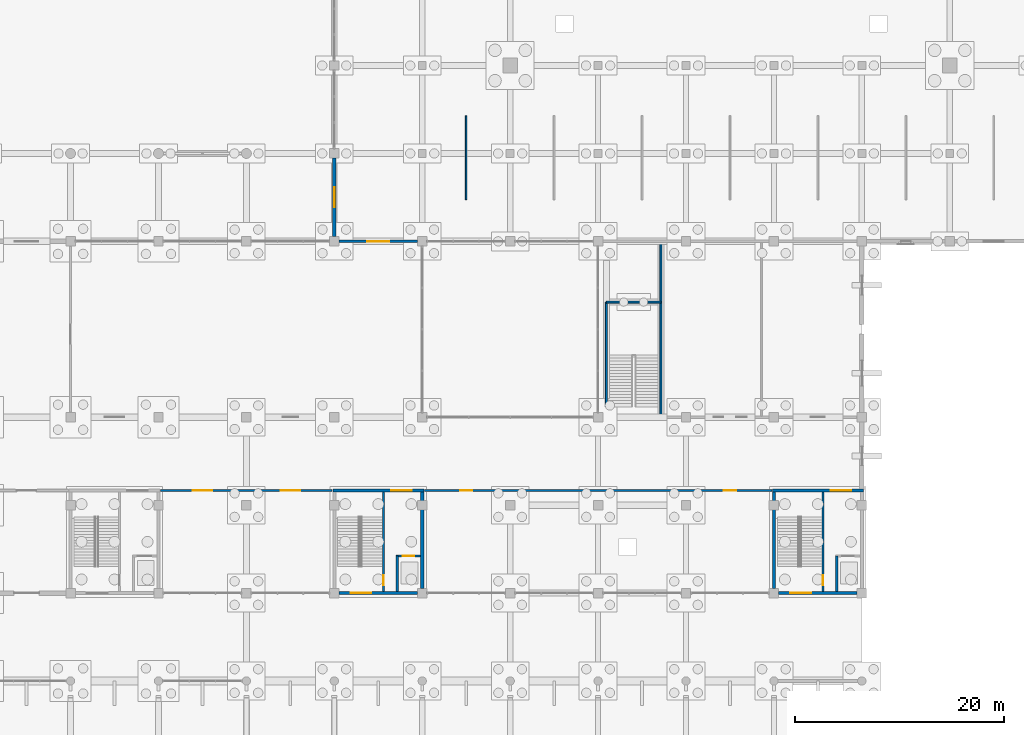
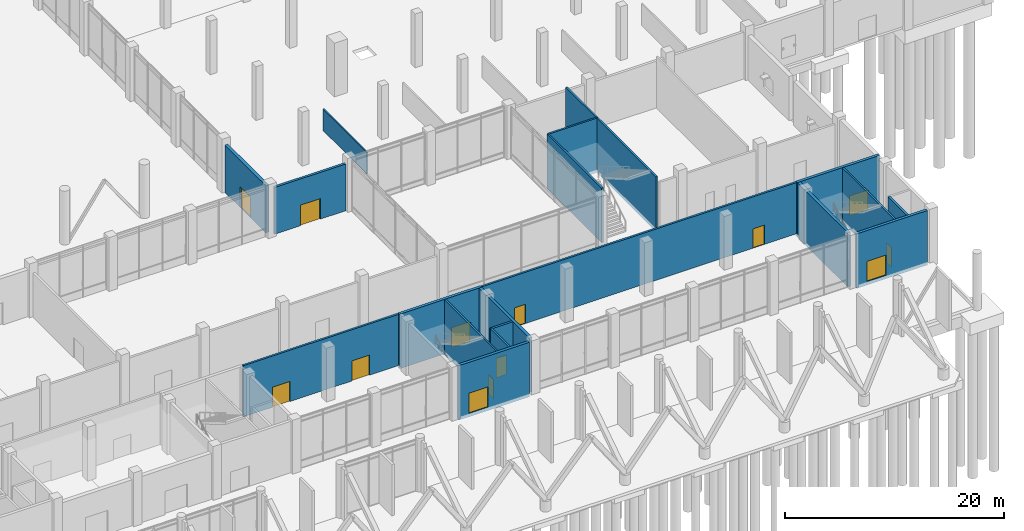
# One storey, part 57 of 72: 19 walls, 13 doors, 13 openings.
"""IFC4 building model written with IfcOpenShell, lengths in metres."""

from ifc_helpers import new_model, si_unit, direction, frame, frame_2d, origin, place, context, subcontext, project, spatial, rectangle, extrude, material, layer, layer_set, type_object, element, fill, save


model = new_model("IFC4")

# Units and contexts
model_context = context("Model", 3, precision=1e-05, world=origin(), true_north=direction((0.0, 1.0)))
body_context = subcontext(model_context, "Body", "Model", "MODEL_VIEW")
ifc_project = project(units=[si_unit("LENGTHUNIT", "METRE"), si_unit("AREAUNIT", "SQUARE_METRE"), si_unit("VOLUMEUNIT", "CUBIC_METRE"), si_unit("PLANEANGLEUNIT", "RADIAN"), si_unit("MASSUNIT", "GRAM", prefix="KILO")], contexts=[model_context])

# Site, building, storey
site_placement = place(None, origin())
site = spatial("IfcSite", under=ifc_project, at=site_placement, CompositionType="ELEMENT")
building_placement = place(site_placement, origin())
building = spatial("IfcBuilding", under=site, at=building_placement, Name="Qawsi Khor Wholesale Market", CompositionType="ELEMENT")
storey_placement = place(building_placement, origin())
storey = spatial("IfcBuildingStorey", under=building, at=storey_placement, Name="L00", CompositionType="ELEMENT", Elevation=0.0)

# Wall, opening, door
ifc_material_1 = material(Name="Concrete C40/50", Category="concrete")
ifc_layer_1 = layer(ifc_material_1, 0.300048828125, Name="Concrete C40/50")
ifc_layer_set_1 = layer_set([ifc_layer_1], Name="Concrete C40/50")
wall_type_1 = type_object("IfcWallType", Name="Core Shear Wall RC 300 C40/50", PredefinedType="SHEAR", material=ifc_layer_set_1)
wall_1_placement = place(storey_placement, frame((150.7451171875, 8.39990234375, -0.360107421875), z_axis=(0.0, 0.0, 1.0), x_axis=(-1.0, 0.0, 0.0)))
wall_1 = element("IfcWall", 1, at=wall_1_placement, inside=storey, type_object=wall_type_1, Name="Core C05 south shear wall L00", PredefinedType="SHEAR", context=body_context, shape_type="SweptSolid", body=[
    extrude(rectangle(XDim=7.490234375, YDim=0.300048828125, at=frame_2d((3.7451171875, 0.0))), origin(), (0.0, 0.0, 1.0), 6.080078125),
])
opening_1_placement = place(wall_1_placement, frame((4.39501953125, 0.0, 0.360107421875)))
opening_1 = element("IfcOpeningElement", 2, at=opening_1_placement, cuts=wall_1, Name="Opening ED-06", PredefinedType="OPENING", context=body_context, shape_type="SweptSolid", body=[
    extrude(rectangle(XDim=2.0, YDim=2.280029296875, at=frame_2d((1.0, 1.14013671875))), frame((0.0, 0.159912109375, 0.0), z_axis=(0.0, -1.0, 0.0), x_axis=(1.0, 0.0, 0.0)), (0.0, 0.0, 1.0), 0.320068359375),
])
ifc_material_2 = material(Name="Powder-Coated Galvanised Steel & Glazing", Category="steel")
door_type_1 = type_object("IfcDoorType", Name="Final Exit Stair Discharge Door 2000x2280 FD120S", OperationType="NOTDEFINED", PredefinedType="DOOR", material=ifc_material_2)
door_1_placement = place(opening_1_placement, origin())
door_1 = element("IfcDoor", 3, at=door_1_placement, inside=storey, type_object=door_type_1, Name="Final exit stair discharge door ST-05", OperationType="DOUBLE_DOOR_SINGLE_SWING", OverallHeight=2.280029296875, OverallWidth=2.0, PredefinedType="DOOR", context=body_context, shape_type="SweptSolid", body=[
    extrude(rectangle(XDim=2.0, YDim=2.280029296875, at=frame_2d((1.0, 1.14013671875))), frame((0.0, 0.02490234375, 0.0), z_axis=(0.0, -1.0, 0.0), x_axis=(1.0, 0.0, 0.0)), (0.0, 0.0, 1.0), 0.050048828125),
])
fill(opening_1, door_1)

wall_2_placement = place(storey_placement, frame((142.64990234375, 18.199951171875, -0.360107421875), z_axis=(0.0, 0.0, 1.0), x_axis=(1.0, 0.0, 0.0)))
wall_2 = element("IfcWall", 4, at=wall_2_placement, inside=storey, type_object=wall_type_1, Name="Core C05 north shear wall L00", PredefinedType="SHEAR", context=body_context, shape_type="SweptSolid", body=[
    extrude(rectangle(XDim=8.7001953125, YDim=0.300048828125, at=frame_2d((4.35009765625, 0.0))), origin(), (0.0, 0.0, 1.0), 6.080078125),
])
opening_2_placement = place(wall_2_placement, frame((5.570068359375, 0.0, 0.360107421875)))
opening_2 = element("IfcOpeningElement", 5, at=opening_2_placement, cuts=wall_2, Name="Opening ID-01", PredefinedType="OPENING", context=body_context, shape_type="SweptSolid", body=[
    extrude(rectangle(XDim=1.9599609375, YDim=2.199951171875, at=frame_2d((0.97998046875, 1.10009765625))), frame((0.0, 0.159912109375, 0.0), z_axis=(0.0, -1.0, 0.0), x_axis=(1.0, 0.0, 0.0)), (0.0, 0.0, 1.0), 0.320068359375),
])
ifc_material_3 = material(Name="Steel Fire Door", Category="steel")
door_type_2 = type_object("IfcDoorType", Name="Stair & Core Fire Door 1960x2200 FD90S", OperationType="NOTDEFINED", PredefinedType="DOOR", material=ifc_material_3)
door_2_placement = place(opening_2_placement, origin())
door_2 = element("IfcDoor", 6, at=door_2_placement, inside=storey, type_object=door_type_2, Name="Core C05 fire door L00", OperationType="DOUBLE_DOOR_SINGLE_SWING", OverallHeight=2.199951171875, OverallWidth=1.9599609375, PredefinedType="DOOR", context=body_context, shape_type="SweptSolid", body=[
    extrude(rectangle(XDim=1.9599609375, YDim=2.199951171875, at=frame_2d((0.97998046875, 1.10009765625))), frame((0.0, 0.02490234375, 0.0), z_axis=(0.0, -1.0, 0.0), x_axis=(1.0, 0.0, 0.0)), (0.0, 0.0, 1.0), 0.050048828125),
])
fill(opening_2, door_2)

# Wall
wall_3_placement = place(storey_placement, frame((151.199951171875, 18.050048828125, -0.360107421875), z_axis=(0.0, 0.0, 1.0), x_axis=(0.0, -1.0, 0.0)))
element("IfcWall", 7, at=wall_3_placement, inside=storey, type_object=wall_type_1, Name="Core C05 east shear wall L00", PredefinedType="SHEAR", context=body_context, shape_type="SweptSolid", body=[
    extrude(rectangle(XDim=9.195068359375, YDim=0.300048828125, at=frame_2d((4.59765625, 0.0))), origin(), (0.0, 0.0, 1.0), 6.080078125),
])

# Wall, opening, door
wall_4_placement = place(storey_placement, frame((192.7451171875, 8.39990234375, -0.360107421875), z_axis=(0.0, 0.0, 1.0), x_axis=(-1.0, 0.0, 0.0)))
wall_4 = element("IfcWall", 8, at=wall_4_placement, inside=storey, type_object=wall_type_1, Name="Core C06 south shear wall L00", PredefinedType="SHEAR", context=body_context, shape_type="SweptSolid", body=[
    extrude(rectangle(XDim=7.490234375, YDim=0.300048828125, at=frame_2d((3.7451171875, 0.0))), origin(), (0.0, 0.0, 1.0), 6.080078125),
])
opening_3_placement = place(wall_4_placement, frame((4.39501953125, 0.0, 0.360107421875)))
opening_3 = element("IfcOpeningElement", 9, at=opening_3_placement, cuts=wall_4, Name="Opening ED-06", PredefinedType="OPENING", context=body_context, shape_type="SweptSolid", body=[
    extrude(rectangle(XDim=2.0, YDim=2.280029296875, at=frame_2d((1.0, 1.14013671875))), frame((0.0, 0.159912109375, 0.0), z_axis=(0.0, -1.0, 0.0), x_axis=(1.0, 0.0, 0.0)), (0.0, 0.0, 1.0), 0.320068359375),
])
door_3_placement = place(opening_3_placement, origin())
door_3 = element("IfcDoor", 10, at=door_3_placement, inside=storey, type_object=door_type_1, Name="Final exit stair discharge door ST-06", OperationType="DOUBLE_DOOR_SINGLE_SWING", OverallHeight=2.280029296875, OverallWidth=2.0, PredefinedType="DOOR", context=body_context, shape_type="SweptSolid", body=[
    extrude(rectangle(XDim=2.0, YDim=2.280029296875, at=frame_2d((1.0, 1.14013671875))), frame((0.0, 0.02490234375, 0.0), z_axis=(0.0, -1.0, 0.0), x_axis=(1.0, 0.0, 0.0)), (0.0, 0.0, 1.0), 0.050048828125),
])
fill(opening_3, door_3)

# Wall
wall_5_placement = place(storey_placement, frame((184.800048828125, 8.85498046875, -0.360107421875), z_axis=(0.0, 0.0, 1.0), x_axis=(0.0, 1.0, 0.0)))
element("IfcWall", 11, at=wall_5_placement, inside=storey, type_object=wall_type_1, Name="Core C06 west shear wall L00", PredefinedType="SHEAR", context=body_context, shape_type="SweptSolid", body=[
    extrude(rectangle(XDim=9.195068359375, YDim=0.300048828125, at=frame_2d((4.59765625, 0.0))), origin(), (0.0, 0.0, 1.0), 6.080078125),
])

# Wall, opening, door
wall_6_placement = place(storey_placement, frame((184.64990234375, 18.199951171875, -0.360107421875), z_axis=(0.0, 0.0, 1.0), x_axis=(1.0, 0.0, 0.0)))
wall_6 = element("IfcWall", 12, at=wall_6_placement, inside=storey, type_object=wall_type_1, Name="Core C06 north shear wall L00", PredefinedType="SHEAR", context=body_context, shape_type="SweptSolid", body=[
    extrude(rectangle(XDim=8.7001953125, YDim=0.300048828125, at=frame_2d((4.35009765625, 0.0))), origin(), (0.0, 0.0, 1.0), 6.080078125),
])
opening_4_placement = place(wall_6_placement, frame((5.570068359375, 0.0, 0.360107421875)))
opening_4 = element("IfcOpeningElement", 13, at=opening_4_placement, cuts=wall_6, Name="Opening ID-01", PredefinedType="OPENING", context=body_context, shape_type="SweptSolid", body=[
    extrude(rectangle(XDim=1.9599609375, YDim=2.199951171875, at=frame_2d((0.97998046875, 1.10009765625))), frame((0.0, 0.159912109375, 0.0), z_axis=(0.0, -1.0, 0.0), x_axis=(1.0, 0.0, 0.0)), (0.0, 0.0, 1.0), 0.320068359375),
])
door_4_placement = place(opening_4_placement, origin())
door_4 = element("IfcDoor", 14, at=door_4_placement, inside=storey, type_object=door_type_2, Name="Core C06 fire door L00", OperationType="DOUBLE_DOOR_SINGLE_SWING", OverallHeight=2.199951171875, OverallWidth=1.9599609375, PredefinedType="DOOR", context=body_context, shape_type="SweptSolid", body=[
    extrude(rectangle(XDim=1.9599609375, YDim=2.199951171875, at=frame_2d((0.97998046875, 1.10009765625))), frame((0.0, 0.02490234375, 0.0), z_axis=(0.0, -1.0, 0.0), x_axis=(1.0, 0.0, 0.0)), (0.0, 0.0, 1.0), 0.050048828125),
])
fill(opening_4, door_4)

# Wall, openings, doors
ifc_material_4 = material(Name="Gypsum Fireboard on Steel Stud", Category="steel")
ifc_layer_2 = layer(ifc_material_4, 0.2099609375, Name="Gypsum Fireboard on Steel Stud")
ifc_layer_set_2 = layer_set([ifc_layer_2], Name="Gypsum Fireboard on Steel Stud")
wall_type_2 = type_object("IfcWallType", Name="Corridor Fire Partition Wall 210", PredefinedType="PARTITIONING", material=ifc_layer_set_2)
wall_7_placement = place(storey_placement, frame((126.199951171875, 18.199951171875, 0.0), z_axis=(0.0, 0.0, 1.0), x_axis=(1.0, 0.0, 0.0)))
wall_7 = element("IfcWall", 15, at=wall_7_placement, inside=storey, type_object=wall_type_2, Name="PW-L00-032", PredefinedType="PARTITIONING", context=body_context, shape_type="SweptSolid", body=[
    extrude(rectangle(XDim=16.400146484375, YDim=0.2099609375, at=frame_2d((8.2001953125, 0.0))), origin(), (0.0, 0.0, 1.0), 5.719970703125),
])
opening_5_placement = place(wall_7_placement, frame((3.074951171875, 0.0, 0.0)))
opening_5 = element("IfcOpeningElement", 16, at=opening_5_placement, cuts=wall_7, Name="Opening ID-09", PredefinedType="OPENING", context=body_context, shape_type="SweptSolid", body=[
    extrude(rectangle(XDim=1.85009765625, YDim=2.25, at=frame_2d((0.925048828125, 1.125))), frame((0.0, 0.114990234375, 0.0), z_axis=(0.0, -1.0, 0.0), x_axis=(1.0, 0.0, 0.0)), (0.0, 0.0, 1.0), 0.22998046875),
])
opening_6_placement = place(wall_7_placement, frame((11.47509765625, 0.0, 0.0)))
opening_6 = element("IfcOpeningElement", 17, at=opening_6_placement, cuts=wall_7, Name="Opening ID-09", PredefinedType="OPENING", context=body_context, shape_type="SweptSolid", body=[
    extrude(rectangle(XDim=1.85009765625, YDim=2.25, at=frame_2d((0.925048828125, 1.125))), frame((0.0, 0.114990234375, 0.0), z_axis=(0.0, -1.0, 0.0), x_axis=(1.0, 0.0, 0.0)), (0.0, 0.0, 1.0), 0.22998046875),
])
ifc_material_5 = material(Name="Glazed Hardwood", Category="wood")
door_type_3 = type_object("IfcDoorType", Name="Canteen Dining Double Door 1850x2250 FD60S", OperationType="NOTDEFINED", PredefinedType="DOOR", material=ifc_material_5)
door_5_placement = place(opening_5_placement, origin())
door_5 = element("IfcDoor", 18, at=door_5_placement, inside=storey, type_object=door_type_3, Name="Canteen Dining Double Door 1850x2250 FD60S L00-030", OperationType="DOUBLE_DOOR_SINGLE_SWING", OverallHeight=2.25, OverallWidth=1.85009765625, PredefinedType="DOOR", context=body_context, shape_type="SweptSolid", body=[
    extrude(rectangle(XDim=1.85009765625, YDim=2.25, at=frame_2d((0.925048828125, 1.125))), frame((0.0, 0.02490234375, 0.0), z_axis=(0.0, -1.0, 0.0), x_axis=(1.0, 0.0, 0.0)), (0.0, 0.0, 1.0), 0.050048828125),
])
fill(opening_5, door_5)
door_6_placement = place(opening_6_placement, origin())
door_6 = element("IfcDoor", 19, at=door_6_placement, inside=storey, type_object=door_type_3, Name="Canteen Dining Double Door 1850x2250 FD60S L00-031", OperationType="DOUBLE_DOOR_SINGLE_SWING", OverallHeight=2.25, OverallWidth=1.85009765625, PredefinedType="DOOR", context=body_context, shape_type="SweptSolid", body=[
    extrude(rectangle(XDim=1.85009765625, YDim=2.25, at=frame_2d((0.925048828125, 1.125))), frame((0.0, 0.02490234375, 0.0), z_axis=(0.0, -1.0, 0.0), x_axis=(1.0, 0.0, 0.0)), (0.0, 0.0, 1.0), 0.050048828125),
])
fill(opening_6, door_6)

wall_8_placement = place(storey_placement, frame((151.39990234375, 18.199951171875, 0.0), z_axis=(0.0, 0.0, 1.0), x_axis=(1.0, 0.0, 0.0)))
wall_8 = element("IfcWall", 20, at=wall_8_placement, inside=storey, type_object=wall_type_2, Name="PW-L00-033", PredefinedType="PARTITIONING", context=body_context, shape_type="SweptSolid", body=[
    extrude(rectangle(XDim=33.2001953125, YDim=0.2099609375, at=frame_2d((16.60009765625, 0.0))), origin(), (0.0, 0.0, 1.0), 5.719970703125),
])
opening_7_placement = place(wall_8_placement, frame((3.409912109375, 0.0, 0.0)))
opening_7 = element("IfcOpeningElement", 21, at=opening_7_placement, cuts=wall_8, Name="Opening ID-15", PredefinedType="OPENING", context=body_context, shape_type="SweptSolid", body=[
    extrude(rectangle(XDim=1.179931640625, YDim=2.159912109375, at=frame_2d((0.58984375, 1.080078125))), frame((0.0, 0.114990234375, 0.0), z_axis=(0.0, -1.0, 0.0), x_axis=(1.0, 0.0, 0.0)), (0.0, 0.0, 1.0), 0.22998046875),
])
opening_8_placement = place(wall_8_placement, frame((28.610107421875, 0.0, 0.0)))
opening_8 = element("IfcOpeningElement", 22, at=opening_8_placement, cuts=wall_8, Name="Opening ID-15", PredefinedType="OPENING", context=body_context, shape_type="SweptSolid", body=[
    extrude(rectangle(XDim=1.179931640625, YDim=2.159912109375, at=frame_2d((0.58984375, 1.080078125))), frame((0.0, 0.114990234375, 0.0), z_axis=(0.0, -1.0, 0.0), x_axis=(1.0, 0.0, 0.0)), (0.0, 0.0, 1.0), 0.22998046875),
])
ifc_material_6 = material(Name="Glazed Anodised Aluminium", Category="aluminium")
door_type_4 = type_object("IfcDoorType", Name="Market Shop Internal Door 1180x2160", OperationType="NOTDEFINED", PredefinedType="DOOR", material=ifc_material_6)
door_7_placement = place(opening_7_placement, origin())
door_7 = element("IfcDoor", 23, at=door_7_placement, inside=storey, type_object=door_type_4, Name="Market Shop Internal Door 1180x2160 L00-032", OperationType="SINGLE_SWING_LEFT", OverallHeight=2.159912109375, OverallWidth=1.179931640625, PredefinedType="DOOR", context=body_context, shape_type="SweptSolid", body=[
    extrude(rectangle(XDim=1.179931640625, YDim=2.159912109375, at=frame_2d((0.58984375, 1.080078125))), frame((0.0, 0.02490234375, 0.0), z_axis=(0.0, -1.0, 0.0), x_axis=(1.0, 0.0, 0.0)), (0.0, 0.0, 1.0), 0.050048828125),
])
fill(opening_7, door_7)
door_8_placement = place(opening_8_placement, origin())
door_8 = element("IfcDoor", 24, at=door_8_placement, inside=storey, type_object=door_type_4, Name="Market Shop Internal Door 1180x2160 L00-033", OperationType="SINGLE_SWING_RIGHT", OverallHeight=2.159912109375, OverallWidth=1.179931640625, PredefinedType="DOOR", context=body_context, shape_type="SweptSolid", body=[
    extrude(rectangle(XDim=1.179931640625, YDim=2.159912109375, at=frame_2d((0.58984375, 1.080078125))), frame((0.0, 0.02490234375, 0.0), z_axis=(0.0, -1.0, 0.0), x_axis=(1.0, 0.0, 0.0)), (0.0, 0.0, 1.0), 0.050048828125),
])
fill(opening_8, door_8)

# Wall, opening, door
ifc_material_7 = material(Name="Concrete Blockwork & Plaster", Category="masonry")
ifc_layer_3 = layer(ifc_material_7, 0.25, Name="Concrete Blockwork & Plaster")
ifc_layer_set_3 = layer_set([ifc_layer_3], Name="Concrete Blockwork & Plaster")
wall_type_3 = type_object("IfcWallType", Name="Fire Compartment Masonry Wall 250", PredefinedType="SOLIDWALL", material=ifc_layer_set_3)
wall_9_placement = place(storey_placement, frame((143.25, 42.0, 0.0), z_axis=(0.0, 0.0, 1.0), x_axis=(1.0, 0.0, 0.0)))
wall_9 = element("IfcWall", 25, at=wall_9_placement, inside=storey, type_object=wall_type_3, Name="Grid F fire compartment wall L00-17", PredefinedType="SOLIDWALL", context=body_context, shape_type="SweptSolid", body=[
    extrude(rectangle(XDim=7.5, YDim=0.25, at=frame_2d((3.75, 0.0))), origin(), (0.0, 0.0, 1.0), 5.219970703125),
])
opening_9_placement = place(wall_9_placement, frame((2.699951171875, 0.0, 0.0)))
opening_9 = element("IfcOpeningElement", 26, at=opening_9_placement, cuts=wall_9, Name="Opening ID-03", PredefinedType="OPENING", context=body_context, shape_type="SweptSolid", body=[
    extrude(rectangle(XDim=2.10009765625, YDim=2.300048828125, at=frame_2d((1.050048828125, 1.14990234375))), frame((0.0, 0.135009765625, 0.0), z_axis=(0.0, -1.0, 0.0), x_axis=(1.0, 0.0, 0.0)), (0.0, 0.0, 1.0), 0.27001953125),
])
ifc_material_8 = material(Name="Glazed Steel Fire Door", Category="steel")
door_type_5 = type_object("IfcDoorType", Name="Hall Concourse Double Door 2100x2300 FD60S", OperationType="NOTDEFINED", PredefinedType="DOOR", material=ifc_material_8)
door_9_placement = place(opening_9_placement, origin())
door_9 = element("IfcDoor", 27, at=door_9_placement, inside=storey, type_object=door_type_5, Name="Hall concourse compartment door L00-17", OperationType="DOUBLE_DOOR_SINGLE_SWING", OverallHeight=2.300048828125, OverallWidth=2.10009765625, PredefinedType="DOOR", context=body_context, shape_type="SweptSolid", body=[
    extrude(rectangle(XDim=2.10009765625, YDim=2.300048828125, at=frame_2d((1.050048828125, 1.14990234375))), frame((0.0, 0.02490234375, 0.0), z_axis=(0.0, -1.0, 0.0), x_axis=(1.0, 0.0, 0.0)), (0.0, 0.0, 1.0), 0.050048828125),
])
fill(opening_9, door_9)

ifc_layer_4 = layer(ifc_material_1, 0.330078125, Name="Concrete C40/50")
ifc_layer_set_4 = layer_set([ifc_layer_4], Name="Concrete C40/50")
wall_type_4 = type_object("IfcWallType", Name="Fish Hall Precast Insulated Wall 330", PredefinedType="SOLIDWALL", material=ifc_layer_set_4)
wall_10_placement = place(storey_placement, frame((142.800048828125, 42.455078125, 0.0), z_axis=(0.0, 0.0, 1.0), x_axis=(0.0, 1.0, 0.0)))
wall_10 = element("IfcWall", 28, at=wall_10_placement, inside=storey, type_object=wall_type_4, Name="EW-L00-EHW-05", PredefinedType="SOLIDWALL", context=body_context, shape_type="SweptSolid", body=[
    extrude(rectangle(XDim=7.489990234375, YDim=0.330078125, at=frame_2d((3.7451171875, 0.0))), origin(), (0.0, 0.0, 1.0), 5.280029296875),
])
opening_10_placement = place(wall_10_placement, frame((2.784912109375, 0.0, 0.0)))
opening_10 = element("IfcOpeningElement", 29, at=opening_10_placement, cuts=wall_10, Name="Opening ED-07", PredefinedType="OPENING", context=body_context, shape_type="SweptSolid", body=[
    extrude(rectangle(XDim=1.919921875, YDim=2.320068359375, at=frame_2d((0.9599609375, 1.16015625))), frame((0.0, 0.175048828125, 0.0), z_axis=(0.0, -1.0, 0.0), x_axis=(1.0, 0.0, 0.0)), (0.0, 0.0, 1.0), 0.35009765625),
])
door_type_6 = type_object("IfcDoorType", Name="Hall Ground Personnel Exit Door 1920x2320 FD60S", OperationType="NOTDEFINED", PredefinedType="DOOR", material=ifc_material_2)
door_10_placement = place(opening_10_placement, origin())
door_10 = element("IfcDoor", 30, at=door_10_placement, inside=storey, type_object=door_type_6, Name="East Hall Court Exit", OperationType="DOUBLE_DOOR_SINGLE_SWING", OverallHeight=2.320068359375, OverallWidth=1.919921875, PredefinedType="DOOR", context=body_context, shape_type="SweptSolid", body=[
    extrude(rectangle(XDim=1.919921875, YDim=2.320068359375, at=frame_2d((0.9599609375, 1.16015625))), frame((0.0, 0.02490234375, 0.0), z_axis=(0.0, -1.0, 0.0), x_axis=(1.0, 0.0, 0.0)), (0.0, 0.0, 1.0), 0.050048828125),
])
fill(opening_10, door_10)

# Wall
ifc_layer_5 = layer(ifc_material_1, 0.219970703125, Name="Concrete C40/50")
ifc_layer_set_5 = layer_set([ifc_layer_5], Name="Concrete C40/50")
wall_type_5 = type_object("IfcWallType", Name="Lift & Stair Shaft Wall RC 220", PredefinedType="SOLIDWALL", material=ifc_layer_set_5)
wall_11_placement = place(storey_placement, frame((148.81005859375, 8.56005859375, 0.0), z_axis=(0.0, 0.0, 1.0), x_axis=(0.0, 1.0, 0.0)))
element("IfcWall", 31, at=wall_11_placement, inside=storey, type_object=wall_type_5, Name="Lift PL-03 shaft wall W L00", PredefinedType="SOLIDWALL", context=body_context, shape_type="SweptSolid", body=[
    extrude(rectangle(XDim=3.389892578125, YDim=0.219970703125, at=frame_2d((1.69482421875, 0.0))), origin(), (0.0, 0.0, 1.0), 5.719970703125),
])

# Wall, opening, door
wall_12_placement = place(storey_placement, frame((148.699951171875, 11.949951171875, 0.0), z_axis=(0.0, 0.0, 1.0), x_axis=(1.0, 0.0, 0.0)))
wall_12 = element("IfcWall", 32, at=wall_12_placement, inside=storey, type_object=wall_type_5, Name="Lift PL-03 shaft wall N L00", PredefinedType="SOLIDWALL", context=body_context, shape_type="SweptSolid", body=[
    extrude(rectangle(XDim=2.340087890625, YDim=0.219970703125, at=frame_2d((1.169921875, 0.0))), origin(), (0.0, 0.0, 1.0), 5.719970703125),
])
opening_11_placement = place(wall_12_placement, frame((0.6201171875, 0.0, 0.0)))
opening_11 = element("IfcOpeningElement", 33, at=opening_11_placement, cuts=wall_12, Name="Opening LD-P110", PredefinedType="OPENING", context=body_context, shape_type="SweptSolid", body=[
    extrude(rectangle(XDim=1.10009765625, YDim=2.199951171875, at=frame_2d((0.550048828125, 1.10009765625))), frame((0.0, 0.119873046875, 0.0), z_axis=(0.0, -1.0, 0.0), x_axis=(1.0, 0.0, 0.0)), (0.0, 0.0, 1.0), 0.239990234375),
])
ifc_material_9 = material(Name="Brushed Stainless Steel", Category="steel")
door_type_7 = type_object("IfcDoorType", Name="Passenger Lift Landing Sliding Door 1100x2200 FD90S", OperationType="NOTDEFINED", PredefinedType="DOOR", material=ifc_material_9)
door_11_placement = place(opening_11_placement, origin())
door_11 = element("IfcDoor", 34, at=door_11_placement, inside=storey, type_object=door_type_7, Name="Lift PL-03 landing door L00", OperationType="SLIDING_TO_LEFT", OverallHeight=2.199951171875, OverallWidth=1.10009765625, PredefinedType="DOOR", context=body_context, shape_type="SweptSolid", body=[
    extrude(rectangle(XDim=1.10009765625, YDim=2.199951171875, at=frame_2d((0.550048828125, 1.10009765625))), frame((0.0, 0.02490234375, 0.0), z_axis=(0.0, -1.0, 0.0), x_axis=(1.0, 0.0, 0.0)), (0.0, 0.0, 1.0), 0.050048828125),
])
fill(opening_11, door_11)

# Walls
wall_13_placement = place(storey_placement, frame((190.81005859375, 8.56005859375, 0.0), z_axis=(0.0, 0.0, 1.0), x_axis=(0.0, 1.0, 0.0)))
element("IfcWall", 35, at=wall_13_placement, inside=storey, type_object=wall_type_5, Name="Lift PL-04 shaft wall W L00", PredefinedType="SOLIDWALL", context=body_context, shape_type="SweptSolid", body=[
    extrude(rectangle(XDim=3.389892578125, YDim=0.219970703125, at=frame_2d((1.69482421875, 0.0))), origin(), (0.0, 0.0, 1.0), 5.719970703125),
])
ifc_material_10 = material(Name="Precast Terrazzo Concrete C40/50", Category="concrete")
ifc_layer_6 = layer(ifc_material_10, 0.135009765625, Name="Precast Terrazzo Concrete C40/50")
ifc_layer_set_6 = layer_set([ifc_layer_6], Name="Precast Terrazzo Concrete C40/50")
wall_type_6 = type_object("IfcWallType", Name="Market Stall Low Divider Wall 135", PredefinedType="PARTITIONING", material=ifc_layer_set_6)
wall_14_placement = place(storey_placement, frame((155.39990234375, 46.0, 0.0), z_axis=(0.0, 0.0, 1.0), x_axis=(0.0, 1.0, 0.0)))
element("IfcWall", 36, at=wall_14_placement, inside=storey, type_object=wall_type_6, Name="PW-L00-010", PredefinedType="PARTITIONING", context=body_context, shape_type="SweptSolid", body=[
    extrude(rectangle(XDim=8.0, YDim=0.135009765625, at=frame_2d((4.0, 0.0))), origin(), (0.0, 0.0, 1.0), 2.39990234375),
])

# Wall, opening, door
ifc_layer_7 = layer(ifc_material_1, 0.18994140625, Name="Concrete C40/50")
ifc_layer_set_7 = layer_set([ifc_layer_7], Name="Concrete C40/50")
wall_type_7 = type_object("IfcWallType", Name="Stairwell Enclosure Wall RC 190", PredefinedType="SOLIDWALL", material=ifc_layer_set_7)
wall_15_placement = place(storey_placement, frame((147.47998046875, 8.56005859375, -0.360107421875), z_axis=(0.0, 0.0, 1.0), x_axis=(0.0, 1.0, 0.0)))
wall_15 = element("IfcWall", 37, at=wall_15_placement, inside=storey, type_object=wall_type_7, Name="Core C05 stairwell enclosure wall L00", PredefinedType="SOLIDWALL", context=body_context, shape_type="SweptSolid", body=[
    extrude(rectangle(XDim=9.47998046875, YDim=0.18994140625, at=frame_2d((4.739990234375, 0.0))), origin(), (0.0, 0.0, 1.0), 6.080078125),
])
opening_12_placement = place(wall_15_placement, frame((0.580078125, 0.0, 0.360107421875)))
opening_12 = element("IfcOpeningElement", 38, at=opening_12_placement, cuts=wall_15, Name="Opening ID-17", PredefinedType="OPENING", context=body_context, shape_type="SweptSolid", body=[
    extrude(rectangle(XDim=0.97998046875, YDim=2.14990234375, at=frame_2d((0.489990234375, 1.074951171875))), frame((0.0, 0.10498046875, 0.0), z_axis=(0.0, -1.0, 0.0), x_axis=(1.0, 0.0, 0.0)), (0.0, 0.0, 1.0), 0.2099609375),
])
door_type_8 = type_object("IfcDoorType", Name="Core Stair Lobby Fire Door 980x2150 FD120S", OperationType="NOTDEFINED", PredefinedType="DOOR", material=ifc_material_3)
door_12_placement = place(opening_12_placement, origin())
door_12 = element("IfcDoor", 39, at=door_12_placement, inside=storey, type_object=door_type_8, Name="Core C05 stair enclosure fire door L00", OperationType="SINGLE_SWING_LEFT", OverallHeight=2.14990234375, OverallWidth=0.97998046875, PredefinedType="DOOR", context=body_context, shape_type="SweptSolid", body=[
    extrude(rectangle(XDim=0.97998046875, YDim=2.14990234375, at=frame_2d((0.489990234375, 1.074951171875))), frame((0.0, 0.02490234375, 0.0), z_axis=(0.0, -1.0, 0.0), x_axis=(1.0, 0.0, 0.0)), (0.0, 0.0, 1.0), 0.050048828125),
])
fill(opening_12, door_12)

wall_16_placement = place(storey_placement, frame((189.47998046875, 8.56005859375, -0.360107421875), z_axis=(0.0, 0.0, 1.0), x_axis=(0.0, 1.0, 0.0)))
wall_16 = element("IfcWall", 40, at=wall_16_placement, inside=storey, type_object=wall_type_7, Name="Core C06 stairwell enclosure wall L00", PredefinedType="SOLIDWALL", context=body_context, shape_type="SweptSolid", body=[
    extrude(rectangle(XDim=9.47998046875, YDim=0.18994140625, at=frame_2d((4.739990234375, 0.0))), origin(), (0.0, 0.0, 1.0), 6.080078125),
])
opening_13_placement = place(wall_16_placement, frame((0.580078125, 0.0, 0.360107421875)))
opening_13 = element("IfcOpeningElement", 41, at=opening_13_placement, cuts=wall_16, Name="Opening ID-17", PredefinedType="OPENING", context=body_context, shape_type="SweptSolid", body=[
    extrude(rectangle(XDim=0.97998046875, YDim=2.14990234375, at=frame_2d((0.489990234375, 1.074951171875))), frame((0.0, 0.10498046875, 0.0), z_axis=(0.0, -1.0, 0.0), x_axis=(1.0, 0.0, 0.0)), (0.0, 0.0, 1.0), 0.2099609375),
])
door_13_placement = place(opening_13_placement, origin())
door_13 = element("IfcDoor", 42, at=door_13_placement, inside=storey, type_object=door_type_8, Name="Core C06 stair enclosure fire door L00", OperationType="SINGLE_SWING_LEFT", OverallHeight=2.14990234375, OverallWidth=0.97998046875, PredefinedType="DOOR", context=body_context, shape_type="SweptSolid", body=[
    extrude(rectangle(XDim=0.97998046875, YDim=2.14990234375, at=frame_2d((0.489990234375, 1.074951171875))), frame((0.0, 0.02490234375, 0.0), z_axis=(0.0, -1.0, 0.0), x_axis=(1.0, 0.0, 0.0)), (0.0, 0.0, 1.0), 0.050048828125),
])
fill(opening_13, door_13)

# Walls
wall_17_placement = place(storey_placement, frame((168.800048828125, 26.199951171875, -0.360107421875), z_axis=(0.0, 0.0, 1.0), x_axis=(0.0, 1.0, 0.0)))
element("IfcWall", 43, at=wall_17_placement, inside=storey, type_object=wall_type_7, Name="Atrium stair enclosure W E L00", PredefinedType="SOLIDWALL", context=body_context, shape_type="SweptSolid", body=[
    extrude(rectangle(XDim=10.0, YDim=0.18994140625, at=frame_2d((5.0, 0.0))), origin(), (0.0, 0.0, 1.0), 6.080078125),
])
wall_18_placement = place(storey_placement, frame((168.800048828125, 36.199951171875, -0.360107421875), z_axis=(0.0, 0.0, 1.0), x_axis=(1.0, 0.0, 0.0)))
element("IfcWall", 44, at=wall_18_placement, inside=storey, type_object=wall_type_7, Name="Atrium stair enclosure N E L00", PredefinedType="SOLIDWALL", context=body_context, shape_type="SweptSolid", body=[
    extrude(rectangle(XDim=5.199951171875, YDim=0.18994140625, at=frame_2d((2.60009765625, 0.0))), origin(), (0.0, 0.0, 1.0), 6.080078125),
])
wall_19_placement = place(storey_placement, frame((174.0, 25.300048828125, -0.360107421875), z_axis=(0.0, 0.0, 1.0), x_axis=(0.0, 1.0, 0.0)))
element("IfcWall", 45, at=wall_19_placement, inside=storey, type_object=wall_type_7, Name="Atrium stair enclosure E E L00", PredefinedType="SOLIDWALL", context=body_context, shape_type="SweptSolid", body=[
    extrude(rectangle(XDim=16.489990234375, YDim=0.18994140625, at=frame_2d((8.2451171875, 0.0))), origin(), (0.0, 0.0, 1.0), 6.080078125),
])

save(model, "model.ifc")
